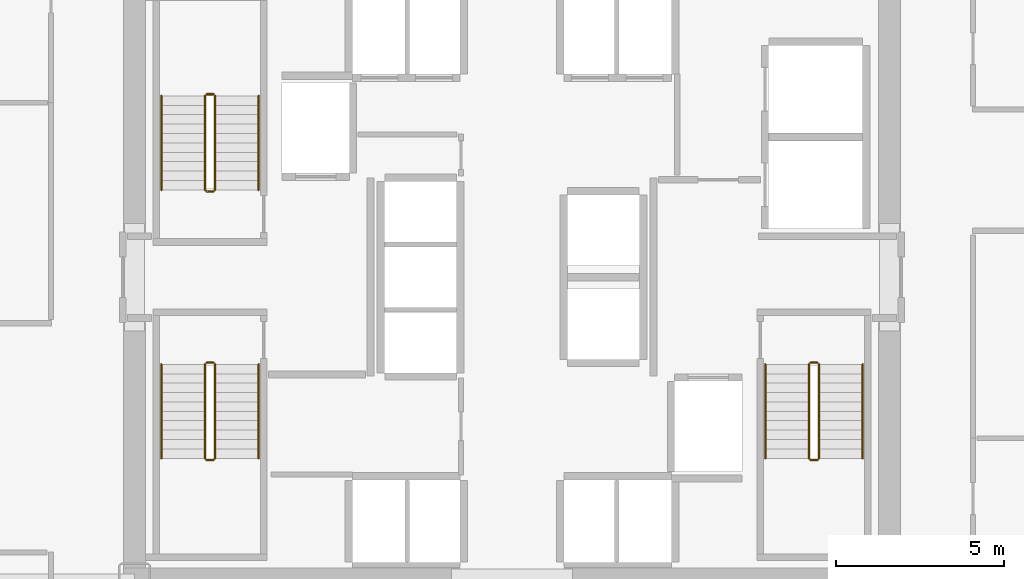
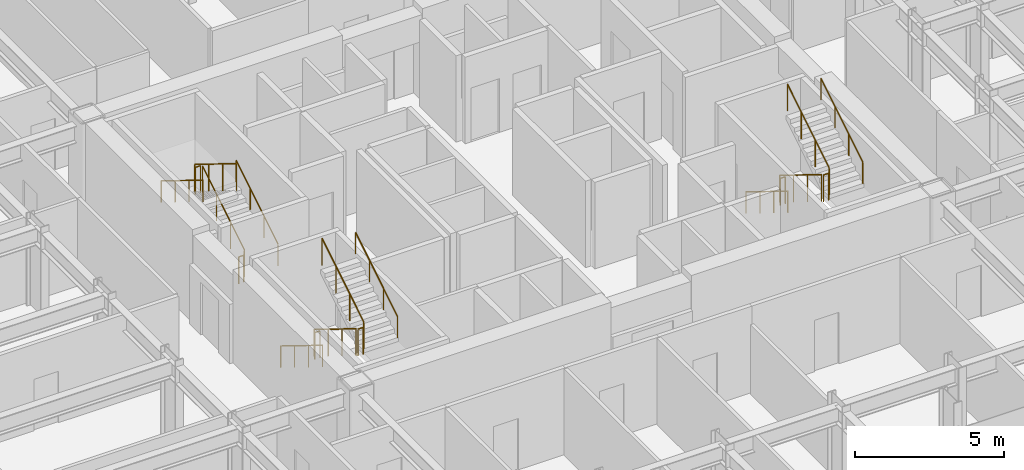
# One storey, part 26 of 26: 18 railings.
"""IFC4 building model written with IfcOpenShell, lengths in metres."""

from ifc_helpers import new_model, si_unit, direction, frame, origin, origin_2d, place, context, subcontext, project, spatial, circle, extrude, material, type_object, element, save


model = new_model("IFC4")

# Units and contexts
model_context = context("Model", 3, precision=1e-05, world=origin(), true_north=direction((0.0, 1.0)))
body_context = subcontext(model_context, "Body", "Model", "MODEL_VIEW")
ifc_project = project(units=[si_unit("LENGTHUNIT", "METRE"), si_unit("AREAUNIT", "SQUARE_METRE"), si_unit("VOLUMEUNIT", "CUBIC_METRE"), si_unit("PLANEANGLEUNIT", "RADIAN"), si_unit("MASSUNIT", "GRAM", prefix="KILO")], contexts=[model_context])

# Site, building, storey
site_placement = place(None, origin())
site = spatial("IfcSite", under=ifc_project, at=site_placement, CompositionType="ELEMENT")
building_placement = place(site_placement, origin())
building = spatial("IfcBuilding", under=site, at=building_placement, Name="Nefas-Gora Pilgrimage Tower", CompositionType="ELEMENT")
storey_placement = place(building_placement, frame((0.0, 0.0, 36.800048828125)))
storey = spatial("IfcBuildingStorey", under=building, at=storey_placement, Name="L07", CompositionType="ELEMENT", Elevation=36.800048828125)

# Railings
ifc_material_1 = material(Name="Painted galvanised steel", Category="steel")
railing_type_1 = type_object("IfcRailingType", Name="RLG-STR-GUARD-1100", PredefinedType="GUARDRAIL", material=ifc_material_1)
railing_1_placement = place(storey_placement, frame((-8.85009765625, 2.60009765625, 0.172607421875)))
element("IfcRailing", 1, at=railing_1_placement, inside=storey, type_object=railing_type_1, Name="L07 ST-01 stair guard 1", PredefinedType="GUARDRAIL", context=body_context, shape_type="SweptSolid", body=[
    extrude(circle(Radius=0.02392578125, at=origin_2d()), frame((0.0, 0.0, 1.09619140625), z_axis=(0.0, 0.851069175582, 0.525053576669), x_axis=(-1.0, 0.0, 0.0)), (0.0, 0.0, 1.0), 3.289794921875),
    extrude(circle(Radius=0.02099609375, at=origin_2d()), origin(), (0.0, 0.0, 1.0), 1.072021484375),
    extrude(circle(Radius=0.02099609375, at=origin_2d()), frame((0.0, 0.933349609375, 0.57568359375)), (0.0, 0.0, 1.0), 1.072021484375),
    extrude(circle(Radius=0.02099609375, at=origin_2d()), frame((0.0, 1.866455078125, 1.151611328125)), (0.0, 0.0, 1.0), 1.072021484375),
    extrude(circle(Radius=0.02099609375, at=origin_2d()), frame((0.0, 2.7998046875, 1.727294921875)), (0.0, 0.0, 1.0), 1.072021484375),
])
railing_2_placement = place(storey_placement, frame((-8.89990234375, 5.449951171875, 1.89990234375)))
element("IfcRailing", 2, at=railing_2_placement, inside=storey, type_object=railing_type_1, Name="L07 ST-01 stair guard 2", PredefinedType="GUARDRAIL", context=body_context, shape_type="SweptSolid", body=[
    extrude(circle(Radius=0.02392578125, at=origin_2d()), frame((0.0, 0.0, 1.09619140625), z_axis=(-1.0, 0.0, 0.0), x_axis=(0.0, -1.0, 0.0)), (0.0, 0.0, 1.0), 0.2001953125),
    extrude(circle(Radius=0.02099609375, at=origin_2d()), origin(), (0.0, 0.0, 1.0), 1.072021484375),
    extrude(circle(Radius=0.02099609375, at=origin_2d()), frame((-0.2001953125, 0.0, 0.0)), (0.0, 0.0, 1.0), 1.072021484375),
])
railing_3_placement = place(storey_placement, frame((-9.14990234375, 5.39990234375, 2.07275390625)))
element("IfcRailing", 3, at=railing_3_placement, inside=storey, type_object=railing_type_1, Name="L07 ST-01 stair guard 3", PredefinedType="GUARDRAIL", context=body_context, shape_type="SweptSolid", body=[
    extrude(circle(Radius=0.02392578125, at=origin_2d()), frame((0.0, 0.0, 1.09619140625), z_axis=(0.0, -0.851069175582, 0.525053576669), x_axis=(1.0, 0.0, 0.0)), (0.0, 0.0, 1.0), 3.289794921875),
    extrude(circle(Radius=0.02099609375, at=origin_2d()), origin(), (0.0, 0.0, 1.0), 1.072021484375),
    extrude(circle(Radius=0.02099609375, at=origin_2d()), frame((0.0, -0.933349609375, 0.57568359375)), (0.0, 0.0, 1.0), 1.072021484375),
    extrude(circle(Radius=0.02099609375, at=origin_2d()), frame((0.0, -1.866455078125, 1.151611328125)), (0.0, 0.0, 1.0), 1.072021484375),
    extrude(circle(Radius=0.02099609375, at=origin_2d()), frame((0.0, -2.7998046875, 1.727294921875)), (0.0, 0.0, 1.0), 1.072021484375),
])
railing_4_placement = place(storey_placement, frame((-8.89990234375, 2.550048828125, 0.0)))
element("IfcRailing", 4, at=railing_4_placement, inside=storey, type_object=railing_type_1, Name="L07 ST-01 stair guard 4", PredefinedType="GUARDRAIL", context=body_context, shape_type="SweptSolid", body=[
    extrude(circle(Radius=0.02392578125, at=origin_2d()), frame((0.0, 0.0, 1.09619140625), z_axis=(-1.0, 0.0, 0.0), x_axis=(0.0, -1.0, 0.0)), (0.0, 0.0, 1.0), 0.2001953125),
    extrude(circle(Radius=0.02099609375, at=origin_2d()), origin(), (0.0, 0.0, 1.0), 1.072021484375),
    extrude(circle(Radius=0.02099609375, at=origin_2d()), frame((-0.2001953125, 0.0, 0.0)), (0.0, 0.0, 1.0), 1.072021484375),
])
railing_5_placement = place(storey_placement, frame((8.85009765625, -2.60009765625, 0.172607421875)))
element("IfcRailing", 5, at=railing_5_placement, inside=storey, type_object=railing_type_1, Name="L07 ST-02 stair guard 1", PredefinedType="GUARDRAIL", context=body_context, shape_type="SweptSolid", body=[
    extrude(circle(Radius=0.02392578125, at=origin_2d()), frame((0.0, 0.0, 1.09619140625), z_axis=(0.0, -0.851069175582, 0.525053576669), x_axis=(1.0, 0.0, 0.0)), (0.0, 0.0, 1.0), 3.289794921875),
    extrude(circle(Radius=0.02099609375, at=origin_2d()), origin(), (0.0, 0.0, 1.0), 1.072021484375),
    extrude(circle(Radius=0.02099609375, at=origin_2d()), frame((0.0, -0.933349609375, 0.57568359375)), (0.0, 0.0, 1.0), 1.072021484375),
    extrude(circle(Radius=0.02099609375, at=origin_2d()), frame((0.0, -1.866455078125, 1.151611328125)), (0.0, 0.0, 1.0), 1.072021484375),
    extrude(circle(Radius=0.02099609375, at=origin_2d()), frame((0.0, -2.7998046875, 1.727294921875)), (0.0, 0.0, 1.0), 1.072021484375),
])
railing_6_placement = place(storey_placement, frame((8.89990234375, -5.449951171875, 1.89990234375)))
element("IfcRailing", 6, at=railing_6_placement, inside=storey, type_object=railing_type_1, Name="L07 ST-02 stair guard 2", PredefinedType="GUARDRAIL", context=body_context, shape_type="SweptSolid", body=[
    extrude(circle(Radius=0.02392578125, at=origin_2d()), frame((0.0, 0.0, 1.09619140625), z_axis=(1.0, 0.0, 0.0), x_axis=(0.0, 1.0, 0.0)), (0.0, 0.0, 1.0), 0.2001953125),
    extrude(circle(Radius=0.02099609375, at=origin_2d()), origin(), (0.0, 0.0, 1.0), 1.072021484375),
    extrude(circle(Radius=0.02099609375, at=origin_2d()), frame((0.2001953125, 0.0, 0.0)), (0.0, 0.0, 1.0), 1.072021484375),
])
railing_7_placement = place(storey_placement, frame((9.14990234375, -5.39990234375, 2.07275390625)))
element("IfcRailing", 7, at=railing_7_placement, inside=storey, type_object=railing_type_1, Name="L07 ST-02 stair guard 3", PredefinedType="GUARDRAIL", context=body_context, shape_type="SweptSolid", body=[
    extrude(circle(Radius=0.02392578125, at=origin_2d()), frame((0.0, 0.0, 1.09619140625), z_axis=(0.0, 0.851069175582, 0.525053576669), x_axis=(-1.0, 0.0, 0.0)), (0.0, 0.0, 1.0), 3.289794921875),
    extrude(circle(Radius=0.02099609375, at=origin_2d()), origin(), (0.0, 0.0, 1.0), 1.072021484375),
    extrude(circle(Radius=0.02099609375, at=origin_2d()), frame((0.0, 0.933349609375, 0.57568359375)), (0.0, 0.0, 1.0), 1.072021484375),
    extrude(circle(Radius=0.02099609375, at=origin_2d()), frame((0.0, 1.866455078125, 1.151611328125)), (0.0, 0.0, 1.0), 1.072021484375),
    extrude(circle(Radius=0.02099609375, at=origin_2d()), frame((0.0, 2.7998046875, 1.727294921875)), (0.0, 0.0, 1.0), 1.072021484375),
])
railing_8_placement = place(storey_placement, frame((8.89990234375, -2.550048828125, 0.0)))
element("IfcRailing", 8, at=railing_8_placement, inside=storey, type_object=railing_type_1, Name="L07 ST-02 stair guard 4", PredefinedType="GUARDRAIL", context=body_context, shape_type="SweptSolid", body=[
    extrude(circle(Radius=0.02392578125, at=origin_2d()), frame((0.0, 0.0, 1.09619140625), z_axis=(1.0, 0.0, 0.0), x_axis=(0.0, 1.0, 0.0)), (0.0, 0.0, 1.0), 0.2001953125),
    extrude(circle(Radius=0.02099609375, at=origin_2d()), origin(), (0.0, 0.0, 1.0), 1.072021484375),
    extrude(circle(Radius=0.02099609375, at=origin_2d()), frame((0.2001953125, 0.0, 0.0)), (0.0, 0.0, 1.0), 1.072021484375),
])
railing_9_placement = place(storey_placement, frame((-9.14990234375, -2.60009765625, 0.172607421875)))
element("IfcRailing", 9, at=railing_9_placement, inside=storey, type_object=railing_type_1, Name="L07 ST-03 stair guard 1", PredefinedType="GUARDRAIL", context=body_context, shape_type="SweptSolid", body=[
    extrude(circle(Radius=0.02392578125, at=origin_2d()), frame((0.0, 0.0, 1.09619140625), z_axis=(0.0, -0.851069175582, 0.525053576669), x_axis=(1.0, 0.0, 0.0)), (0.0, 0.0, 1.0), 3.289794921875),
    extrude(circle(Radius=0.02099609375, at=origin_2d()), origin(), (0.0, 0.0, 1.0), 1.072021484375),
    extrude(circle(Radius=0.02099609375, at=origin_2d()), frame((0.0, -0.933349609375, 0.57568359375)), (0.0, 0.0, 1.0), 1.072021484375),
    extrude(circle(Radius=0.02099609375, at=origin_2d()), frame((0.0, -1.866455078125, 1.151611328125)), (0.0, 0.0, 1.0), 1.072021484375),
    extrude(circle(Radius=0.02099609375, at=origin_2d()), frame((0.0, -2.7998046875, 1.727294921875)), (0.0, 0.0, 1.0), 1.072021484375),
])
railing_10_placement = place(storey_placement, frame((-9.10009765625, -5.449951171875, 1.89990234375)))
element("IfcRailing", 10, at=railing_10_placement, inside=storey, type_object=railing_type_1, Name="L07 ST-03 stair guard 2", PredefinedType="GUARDRAIL", context=body_context, shape_type="SweptSolid", body=[
    extrude(circle(Radius=0.02392578125, at=origin_2d()), frame((0.0, 0.0, 1.09619140625), z_axis=(1.0, 0.0, 0.0), x_axis=(0.0, 1.0, 0.0)), (0.0, 0.0, 1.0), 0.2001953125),
    extrude(circle(Radius=0.02099609375, at=origin_2d()), origin(), (0.0, 0.0, 1.0), 1.072021484375),
    extrude(circle(Radius=0.02099609375, at=origin_2d()), frame((0.2001953125, 0.0, 0.0)), (0.0, 0.0, 1.0), 1.072021484375),
])
railing_11_placement = place(storey_placement, frame((-8.85009765625, -5.39990234375, 2.07275390625)))
element("IfcRailing", 11, at=railing_11_placement, inside=storey, type_object=railing_type_1, Name="L07 ST-03 stair guard 3", PredefinedType="GUARDRAIL", context=body_context, shape_type="SweptSolid", body=[
    extrude(circle(Radius=0.02392578125, at=origin_2d()), frame((0.0, 0.0, 1.09619140625), z_axis=(0.0, 0.851069175582, 0.525053576669), x_axis=(-1.0, 0.0, 0.0)), (0.0, 0.0, 1.0), 3.289794921875),
    extrude(circle(Radius=0.02099609375, at=origin_2d()), origin(), (0.0, 0.0, 1.0), 1.072021484375),
    extrude(circle(Radius=0.02099609375, at=origin_2d()), frame((0.0, 0.933349609375, 0.57568359375)), (0.0, 0.0, 1.0), 1.072021484375),
    extrude(circle(Radius=0.02099609375, at=origin_2d()), frame((0.0, 1.866455078125, 1.151611328125)), (0.0, 0.0, 1.0), 1.072021484375),
    extrude(circle(Radius=0.02099609375, at=origin_2d()), frame((0.0, 2.7998046875, 1.727294921875)), (0.0, 0.0, 1.0), 1.072021484375),
])
railing_12_placement = place(storey_placement, frame((-9.10009765625, -2.550048828125, 0.0)))
element("IfcRailing", 12, at=railing_12_placement, inside=storey, type_object=railing_type_1, Name="L07 ST-03 stair guard 4", PredefinedType="GUARDRAIL", context=body_context, shape_type="SweptSolid", body=[
    extrude(circle(Radius=0.02392578125, at=origin_2d()), frame((0.0, 0.0, 1.09619140625), z_axis=(1.0, 0.0, 0.0), x_axis=(0.0, 1.0, 0.0)), (0.0, 0.0, 1.0), 0.2001953125),
    extrude(circle(Radius=0.02099609375, at=origin_2d()), origin(), (0.0, 0.0, 1.0), 1.072021484375),
    extrude(circle(Radius=0.02099609375, at=origin_2d()), frame((0.2001953125, 0.0, 0.0)), (0.0, 0.0, 1.0), 1.072021484375),
])
ifc_material_2 = material(Name="Brushed stainless steel", Category="steel")
railing_type_2 = type_object("IfcRailingType", Name="RLG-STR-HAND-900", PredefinedType="HANDRAIL", material=ifc_material_2)
railing_13_placement = place(storey_placement, frame((-7.550048828125, 2.60009765625, 0.172607421875)))
element("IfcRailing", 13, at=railing_13_placement, inside=storey, type_object=railing_type_2, Name="L07 ST-01 stair handrail 1", PredefinedType="HANDRAIL", context=body_context, shape_type="SweptSolid", body=[
    extrude(circle(Radius=0.02392578125, at=origin_2d()), frame((0.0, 0.0, 0.8759765625), z_axis=(0.0, 0.851069175582, 0.525053576669), x_axis=(-1.0, 0.0, 0.0)), (0.0, 0.0, 1.0), 3.289794921875),
    extrude(circle(Radius=0.02099609375, at=origin_2d()), origin(), (0.0, 0.0, 1.0), 0.851806640625),
    extrude(circle(Radius=0.02099609375, at=origin_2d()), frame((0.0, 0.933349609375, 0.57568359375)), (0.0, 0.0, 1.0), 0.851806640625),
    extrude(circle(Radius=0.02099609375, at=origin_2d()), frame((0.0, 1.866455078125, 1.151611328125)), (0.0, 0.0, 1.0), 0.851806640625),
    extrude(circle(Radius=0.02099609375, at=origin_2d()), frame((0.0, 2.7998046875, 1.727294921875)), (0.0, 0.0, 1.0), 0.851806640625),
])
for number, where, name in (
    (14, (-10.449951171875, 5.39990234375, 2.07275390625), "L07 ST-01 stair handrail 2"),
    (15, (7.550048828125, -2.60009765625, 0.172607421875), "L07 ST-02 stair handrail 1"),
):
    element("IfcRailing", number, at=place(storey_placement, frame(where)), inside=storey, type_object=railing_type_2, Name=name, PredefinedType="HANDRAIL", context=body_context, shape_type="SweptSolid", body=[
        extrude(circle(Radius=0.02392578125, at=origin_2d()), frame((0.0, 0.0, 0.8759765625), z_axis=(0.0, -0.851069175582, 0.525053576669), x_axis=(1.0, 0.0, 0.0)), (0.0, 0.0, 1.0), 3.289794921875),
        extrude(circle(Radius=0.02099609375, at=origin_2d()), origin(), (0.0, 0.0, 1.0), 0.851806640625),
        extrude(circle(Radius=0.02099609375, at=origin_2d()), frame((0.0, -0.933349609375, 0.57568359375)), (0.0, 0.0, 1.0), 0.851806640625),
        extrude(circle(Radius=0.02099609375, at=origin_2d()), frame((0.0, -1.866455078125, 1.151611328125)), (0.0, 0.0, 1.0), 0.851806640625),
        extrude(circle(Radius=0.02099609375, at=origin_2d()), frame((0.0, -2.7998046875, 1.727294921875)), (0.0, 0.0, 1.0), 0.851806640625),
    ])
railing_14_placement = place(storey_placement, frame((10.449951171875, -5.39990234375, 2.07275390625)))
element("IfcRailing", 16, at=railing_14_placement, inside=storey, type_object=railing_type_2, Name="L07 ST-02 stair handrail 2", PredefinedType="HANDRAIL", context=body_context, shape_type="SweptSolid", body=[
    extrude(circle(Radius=0.02392578125, at=origin_2d()), frame((0.0, 0.0, 0.8759765625), z_axis=(0.0, 0.851069175582, 0.525053576669), x_axis=(-1.0, 0.0, 0.0)), (0.0, 0.0, 1.0), 3.289794921875),
    extrude(circle(Radius=0.02099609375, at=origin_2d()), origin(), (0.0, 0.0, 1.0), 0.851806640625),
    extrude(circle(Radius=0.02099609375, at=origin_2d()), frame((0.0, 0.933349609375, 0.57568359375)), (0.0, 0.0, 1.0), 0.851806640625),
    extrude(circle(Radius=0.02099609375, at=origin_2d()), frame((0.0, 1.866455078125, 1.151611328125)), (0.0, 0.0, 1.0), 0.851806640625),
    extrude(circle(Radius=0.02099609375, at=origin_2d()), frame((0.0, 2.7998046875, 1.727294921875)), (0.0, 0.0, 1.0), 0.851806640625),
])
railing_15_placement = place(storey_placement, frame((-10.449951171875, -2.60009765625, 0.172607421875)))
element("IfcRailing", 17, at=railing_15_placement, inside=storey, type_object=railing_type_2, Name="L07 ST-03 stair handrail 1", PredefinedType="HANDRAIL", context=body_context, shape_type="SweptSolid", body=[
    extrude(circle(Radius=0.02392578125, at=origin_2d()), frame((0.0, 0.0, 0.8759765625), z_axis=(0.0, -0.851069175582, 0.525053576669), x_axis=(1.0, 0.0, 0.0)), (0.0, 0.0, 1.0), 3.289794921875),
    extrude(circle(Radius=0.02099609375, at=origin_2d()), origin(), (0.0, 0.0, 1.0), 0.851806640625),
    extrude(circle(Radius=0.02099609375, at=origin_2d()), frame((0.0, -0.933349609375, 0.57568359375)), (0.0, 0.0, 1.0), 0.851806640625),
    extrude(circle(Radius=0.02099609375, at=origin_2d()), frame((0.0, -1.866455078125, 1.151611328125)), (0.0, 0.0, 1.0), 0.851806640625),
    extrude(circle(Radius=0.02099609375, at=origin_2d()), frame((0.0, -2.7998046875, 1.727294921875)), (0.0, 0.0, 1.0), 0.851806640625),
])
railing_16_placement = place(storey_placement, frame((-7.550048828125, -5.39990234375, 2.07275390625)))
element("IfcRailing", 18, at=railing_16_placement, inside=storey, type_object=railing_type_2, Name="L07 ST-03 stair handrail 2", PredefinedType="HANDRAIL", context=body_context, shape_type="SweptSolid", body=[
    extrude(circle(Radius=0.02392578125, at=origin_2d()), frame((0.0, 0.0, 0.8759765625), z_axis=(0.0, 0.851069175582, 0.525053576669), x_axis=(-1.0, 0.0, 0.0)), (0.0, 0.0, 1.0), 3.289794921875),
    extrude(circle(Radius=0.02099609375, at=origin_2d()), origin(), (0.0, 0.0, 1.0), 0.851806640625),
    extrude(circle(Radius=0.02099609375, at=origin_2d()), frame((0.0, 0.933349609375, 0.57568359375)), (0.0, 0.0, 1.0), 0.851806640625),
    extrude(circle(Radius=0.02099609375, at=origin_2d()), frame((0.0, 1.866455078125, 1.151611328125)), (0.0, 0.0, 1.0), 0.851806640625),
    extrude(circle(Radius=0.02099609375, at=origin_2d()), frame((0.0, 2.7998046875, 1.727294921875)), (0.0, 0.0, 1.0), 0.851806640625),
])

save(model, "model.ifc")
